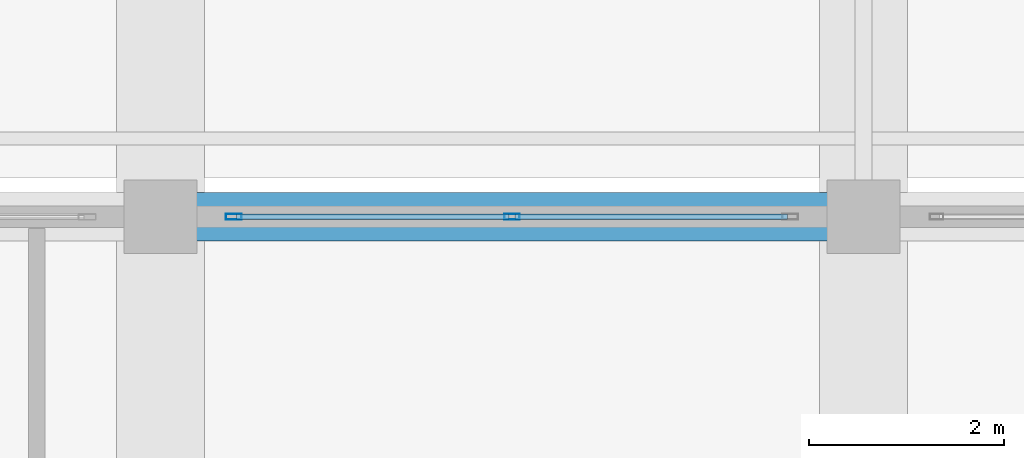
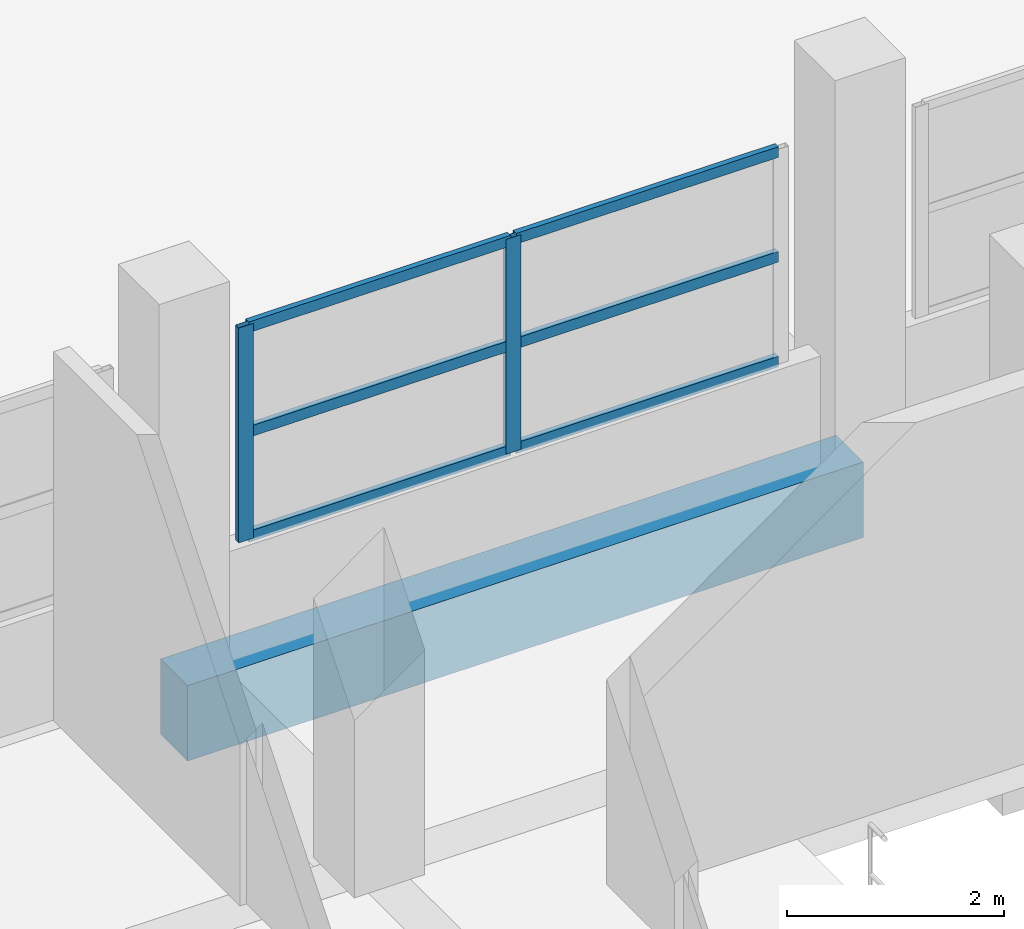
# One storey, part 75 of 141: 8 members, 1 beam, 1 element without a shape of its own.
"""IFC4 building model written with IfcOpenShell, lengths in metres."""

from ifc_helpers import new_model, si_unit, direction, frame, origin, origin_2d, place, context, subcontext, project, spatial, rectangle, hollow_rectangle, extrude, material, layer, layer_set, material_profile, profile_set, type_object, element, aggregate, save


model = new_model("IFC4")

# Units and contexts
model_context = context("Model", 3, precision=1e-05, world=origin(), true_north=direction((0.0, 1.0)))
body_context = subcontext(model_context, "Body", "Model", "MODEL_VIEW")
ifc_project = project(units=[si_unit("LENGTHUNIT", "METRE"), si_unit("AREAUNIT", "SQUARE_METRE"), si_unit("VOLUMEUNIT", "CUBIC_METRE"), si_unit("PLANEANGLEUNIT", "RADIAN"), si_unit("MASSUNIT", "GRAM", prefix="KILO")], contexts=[model_context])

# Site, building, storey
site_placement = place(None, origin())
site = spatial("IfcSite", under=ifc_project, at=site_placement, CompositionType="ELEMENT")
building_placement = place(site_placement, origin())
building = spatial("IfcBuilding", under=site, at=building_placement, Name="Seraya Terrace Polytechnic", CompositionType="ELEMENT")
storey_placement = place(building_placement, frame((0.0, 0.0, 14.39990234375)))
storey = spatial("IfcBuildingStorey", under=building, at=storey_placement, Name="L03", CompositionType="ELEMENT", Elevation=14.39990234375)

# Beam
ifc_material_1 = material(Name="Concrete C40/50", Category="concrete")
ifc_material_profile_1 = material_profile(ifc_material_1, rectangle(XDim=0.5, YDim=0.85009765625, at=origin_2d()), Name="RC 500x850")
ifc_profile_set_1 = profile_set([ifc_material_profile_1], Name="Concrete C40/50")
beam_type = type_object("IfcBeamType", Name="BM-05", PredefinedType="BEAM", material=ifc_profile_set_1)
beam_placement = place(storey_placement, frame((50.39990234375, 75.60009765625, -0.4248046875), z_axis=(1.0, 0.0, 0.0), x_axis=(0.0, 1.0, 0.0)))
element("IfcBeam", 1, at=beam_placement, inside=storey, type_object=beam_type, Name="Beam BM-05 L03 X (50.4..57.6, 75.6)", PredefinedType="BEAM", context=body_context, shape_type="SweptSolid", body=[
    extrude(rectangle(XDim=0.5, YDim=0.85009765625, at=origin_2d()), origin(), (0.0, 0.0, 1.0), 7.2001953125),
])

# Curtain wall, members
ifc_material_2 = material(Name="Anodised aluminium EN AW-6063 T6", Category="aluminium")
ifc_layer = layer(ifc_material_2, 0.179931640625, Name="CW-11")
ifc_layer_set = layer_set([ifc_layer], Name="Anodised aluminium EN AW-6063 T6")
curtain_wall_type = type_object("IfcCurtainWallType", Name="CW-11", PredefinedType="NOTDEFINED", material=ifc_layer_set)
curtain_wall_placement = place(storey_placement, origin())
curtain_wall = element("IfcCurtainWall", 2, at=curtain_wall_placement, inside=storey, type_object=curtain_wall_type, Name="Unitised curtain wall CW-11 (CW-L03-119)", PredefinedType="NOTDEFINED")
ifc_material_profile_2 = material_profile(ifc_material_2, hollow_rectangle(XDim=0.06005859375, YDim=0.159912109375, WallThickness=0.00341796875, at=origin_2d()), Name="RHS 160x60x3.5")
ifc_profile_set_2 = profile_set([ifc_material_profile_2], Name="Anodised aluminium EN AW-6063 T6")
member_type_1 = type_object("IfcMemberType", Name="CWM-02", PredefinedType="MULLION", material=ifc_profile_set_2)
member_1_placement = place(storey_placement, frame((51.14990234375, 75.60009765625, 1.239990234375), z_axis=(0.0, 0.0, 1.0), x_axis=(0.0, 1.0, 0.0)))
member_1 = element("IfcMember", 3, at=member_1_placement, type_object=member_type_1, Name="CW-11 mullion 1", PredefinedType="MULLION", context=body_context, shape_type="SweptSolid", body=[
    extrude(hollow_rectangle(XDim=0.06005859375, YDim=0.159912109375, WallThickness=0.00341796875, at=origin_2d()), origin(), (0.0, 0.0, 1.0), 2.420166015625),
])
member_2_placement = place(storey_placement, frame((54.0, 75.60009765625, 1.239990234375), z_axis=(0.0, 0.0, 1.0), x_axis=(0.0, 1.0, 0.0)))
member_2 = element("IfcMember", 4, at=member_2_placement, type_object=member_type_1, Name="CW-11 mullion 2", PredefinedType="MULLION", context=body_context, shape_type="SweptSolid", body=[
    extrude(hollow_rectangle(XDim=0.06005859375, YDim=0.159912109375, WallThickness=0.00341796875, at=origin_2d()), origin(), (0.0, 0.0, 1.0), 2.420166015625),
])
ifc_material_profile_3 = material_profile(ifc_material_2, hollow_rectangle(XDim=0.06005859375, YDim=0.1201171875, WallThickness=0.003173828125, at=origin_2d()), Name="RHS 120x60x3.2")
ifc_profile_set_3 = profile_set([ifc_material_profile_3], Name="Anodised aluminium EN AW-6063 T6")
member_type_2 = type_object("IfcMemberType", Name="CWT-02", PredefinedType="USERDEFINED", material=ifc_profile_set_3)
member_3_placement = place(storey_placement, frame((51.179931640625, 75.60009765625, 1.27001953125), z_axis=(1.0, 0.0, 0.0), x_axis=(0.0, 1.0, 0.0)))
member_3 = element("IfcMember", 5, at=member_3_placement, type_object=member_type_2, Name="CW-11 transom 1.1", ObjectType="TRANSOM", PredefinedType="USERDEFINED", context=body_context, shape_type="SweptSolid", body=[
    extrude(hollow_rectangle(XDim=0.06005859375, YDim=0.1201171875, WallThickness=0.003173828125, at=origin_2d()), origin(), (0.0, 0.0, 1.0), 2.7900390625),
])
member_4_placement = place(storey_placement, frame((51.179931640625, 75.60009765625, 2.4501953125), z_axis=(1.0, 0.0, 0.0), x_axis=(0.0, 1.0, 0.0)))
member_4 = element("IfcMember", 6, at=member_4_placement, type_object=member_type_2, Name="CW-11 transom 1.2", ObjectType="TRANSOM", PredefinedType="USERDEFINED", context=body_context, shape_type="SweptSolid", body=[
    extrude(hollow_rectangle(XDim=0.06005859375, YDim=0.1201171875, WallThickness=0.003173828125, at=origin_2d()), origin(), (0.0, 0.0, 1.0), 2.7900390625),
])
member_5_placement = place(storey_placement, frame((51.179931640625, 75.60009765625, 3.630126953125), z_axis=(1.0, 0.0, 0.0), x_axis=(0.0, 1.0, 0.0)))
member_5 = element("IfcMember", 7, at=member_5_placement, type_object=member_type_2, Name="CW-11 transom 1.3", ObjectType="TRANSOM", PredefinedType="USERDEFINED", context=body_context, shape_type="SweptSolid", body=[
    extrude(hollow_rectangle(XDim=0.06005859375, YDim=0.1201171875, WallThickness=0.003173828125, at=origin_2d()), origin(), (0.0, 0.0, 1.0), 2.7900390625),
])
member_6_placement = place(storey_placement, frame((54.030029296875, 75.60009765625, 1.27001953125), z_axis=(1.0, 0.0, 0.0), x_axis=(0.0, 1.0, 0.0)))
member_6 = element("IfcMember", 8, at=member_6_placement, type_object=member_type_2, Name="CW-11 transom 2.1", ObjectType="TRANSOM", PredefinedType="USERDEFINED", context=body_context, shape_type="SweptSolid", body=[
    extrude(hollow_rectangle(XDim=0.06005859375, YDim=0.1201171875, WallThickness=0.003173828125, at=origin_2d()), origin(), (0.0, 0.0, 1.0), 2.7900390625),
])
member_7_placement = place(storey_placement, frame((54.030029296875, 75.60009765625, 2.4501953125), z_axis=(1.0, 0.0, 0.0), x_axis=(0.0, 1.0, 0.0)))
member_7 = element("IfcMember", 9, at=member_7_placement, type_object=member_type_2, Name="CW-11 transom 2.2", ObjectType="TRANSOM", PredefinedType="USERDEFINED", context=body_context, shape_type="SweptSolid", body=[
    extrude(hollow_rectangle(XDim=0.06005859375, YDim=0.1201171875, WallThickness=0.003173828125, at=origin_2d()), origin(), (0.0, 0.0, 1.0), 2.7900390625),
])
member_8_placement = place(storey_placement, frame((54.030029296875, 75.60009765625, 3.630126953125), z_axis=(1.0, 0.0, 0.0), x_axis=(0.0, 1.0, 0.0)))
member_8 = element("IfcMember", 10, at=member_8_placement, type_object=member_type_2, Name="CW-11 transom 2.3", ObjectType="TRANSOM", PredefinedType="USERDEFINED", context=body_context, shape_type="SweptSolid", body=[
    extrude(hollow_rectangle(XDim=0.06005859375, YDim=0.1201171875, WallThickness=0.003173828125, at=origin_2d()), origin(), (0.0, 0.0, 1.0), 2.7900390625),
])
aggregate(curtain_wall, [member_1, member_2, member_3, member_4, member_5, member_6, member_7, member_8])

save(model, "model.ifc")
